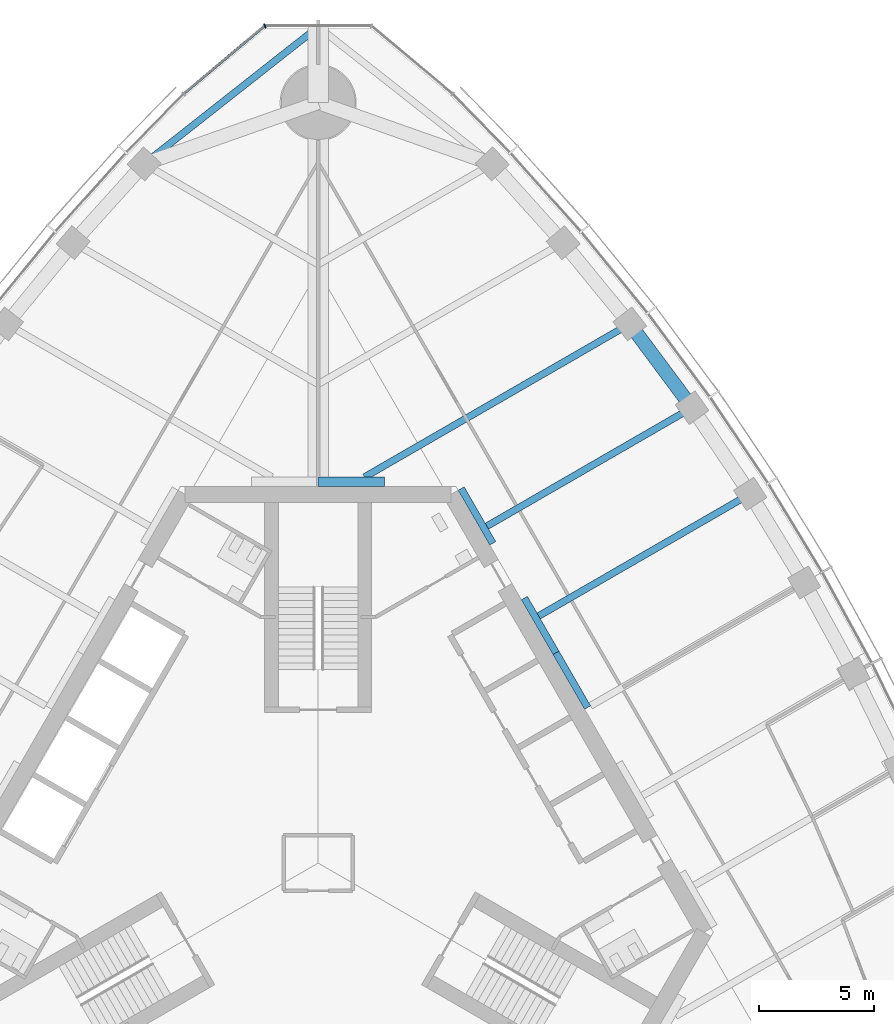
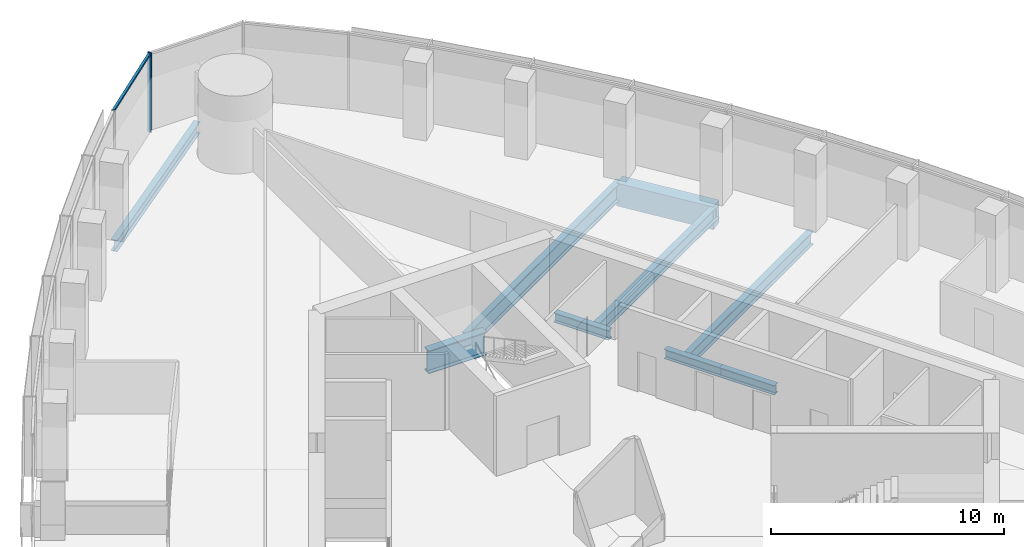
# One storey, part 6 of 19: 9 beams, 2 members, 1 element without a shape of its own.
"""IFC4 building model written with IfcOpenShell, lengths in metres."""

from ifc_helpers import new_model, si_unit, direction, frame, origin, origin_2d, place, context, subcontext, project, spatial, rectangle, i_section, extrude, material, material_profile, profile_set, type_object, element, aggregate, save


model = new_model("IFC4")

# Units and contexts
model_context = context("Model", 3, precision=1e-05, world=origin(), true_north=direction((0.0, 1.0)))
body_context = subcontext(model_context, "Body", "Model", "MODEL_VIEW")
ifc_project = project(units=[si_unit("LENGTHUNIT", "METRE"), si_unit("AREAUNIT", "SQUARE_METRE"), si_unit("VOLUMEUNIT", "CUBIC_METRE"), si_unit("PLANEANGLEUNIT", "RADIAN"), si_unit("MASSUNIT", "GRAM", prefix="KILO")], contexts=[model_context])

# Site, building, storey
site_placement = place(None, origin())
site = spatial("IfcSite", under=ifc_project, at=site_placement, CompositionType="ELEMENT")
building_placement = place(site_placement, origin())
building = spatial("IfcBuilding", under=site, at=building_placement, Name="Trefoil Bronze Tower", CompositionType="ELEMENT")
storey_placement = place(building_placement, frame((0.0, 0.0, 240.10009765625)))
storey = spatial("IfcBuildingStorey", under=building, at=storey_placement, Name="L55", CompositionType="ELEMENT", Elevation=240.10009765625)

# Curtain wall, members
ifc_material_1 = material(Name="Tinted solar-control glass", Category="glass")
curtain_wall_type = type_object("IfcCurtainWallType", Name="Bronze rounded corner curtain wall", PredefinedType="USERDEFINED", material=ifc_material_1)
curtain_wall_placement = place(storey_placement, origin())
curtain_wall = element("IfcCurtainWall", 1, at=curtain_wall_placement, inside=storey, type_object=curtain_wall_type, Name="CW-B L55 K2", ObjectType="CURTAIN WALL", PredefinedType="USERDEFINED")
ifc_material_2 = material(Name="Bronze-finish aluminium", Category="aluminium")
ifc_material_profile_1 = material_profile(ifc_material_2, rectangle(XDim=0.199951171875, YDim=0.06005859375, at=origin_2d()), Name="CW-B mullion")
ifc_profile_set_1 = profile_set([ifc_material_profile_1], Name="Bronze-finish aluminium")
member_type_1 = type_object("IfcMemberType", Name="Bronze rounded corner curtain wall mullion", PredefinedType="MULLION", material=ifc_profile_set_1)
member_1_placement = place(storey_placement, frame((-2.314453125, 36.326416015625, 0.0), z_axis=(0.0, 0.0, 1.0), x_axis=(0.342020143326, -0.939692620786, 0.0)))
member_1 = element("IfcMember", 2, at=member_1_placement, type_object=member_type_1, Name="CW-B L55 K2 mullion 3", PredefinedType="MULLION", context=body_context, shape_type="SweptSolid", body=[
    extrude(rectangle(XDim=0.199951171875, YDim=0.06005859375, at=origin_2d()), origin(), (0.0, 0.0, 1.0), 4.179931640625),
])
ifc_material_3 = material(Name="Bronze-finish aluminium", Category="aluminium")
ifc_material_profile_2 = material_profile(ifc_material_3, rectangle(XDim=0.1201171875, YDim=0.10009765625, at=origin_2d()), Name="CW-B transom")
ifc_profile_set_2 = profile_set([ifc_material_profile_2], Name="Bronze-finish aluminium")
member_type_2 = type_object("IfcMemberType", Name="Bronze rounded corner curtain wall transom", PredefinedType="USERDEFINED", material=ifc_profile_set_2)
member_2_placement = place(storey_placement, frame((-2.367431640625, 36.289794921875, 4.1298828125), z_axis=(-0.766046761698, -0.642784846501, 0.0), x_axis=(0.642784846501, -0.766046761698, 0.0)))
member_2 = element("IfcMember", 3, at=member_2_placement, type_object=member_type_2, Name="CW-B L55 K2 transom 3", ObjectType="TRANSOM", PredefinedType="USERDEFINED", context=body_context, shape_type="SweptSolid", body=[
    extrude(rectangle(XDim=0.1201171875, YDim=0.10009765625, at=origin_2d()), origin(), (0.0, 0.0, 1.0), 4.5),
])
aggregate(curtain_wall, [member_1, member_2])

# Beams
ifc_material_4 = material(Name="Steel C355", Category="steel")
ifc_material_profile_3 = material_profile(ifc_material_4, i_section(OverallWidth=0.300048828125, OverallDepth=0.5, WebThickness=0.014404296875, FlangeThickness=0.028076171875, FilletRadius=0.027099609375, at=origin_2d()), Name="HEB 500")
ifc_profile_set_3 = profile_set([ifc_material_profile_3], Name="Steel C355")
beam_type_1 = type_object("IfcBeamType", Name="Core seat beam HEB 500", PredefinedType="BEAM", material=ifc_profile_set_3)
for number, where, z_axis, x_axis, name in (
    (4, (11.69140625, 6.75, -0.4501953125), (-0.500035825175, 0.866004719122, 0.0), (-0.866004719122, -0.500035825175, 0.0), "Core seat beam F2/+0 L55"),
    (5, (10.320068359375, 9.125, -0.4501953125), (-0.499969057507, 0.866043267704, 0.0), (-0.866043267704, -0.499969057507, 0.0), "Core seat beam F2/+1 L55"),
    (6, (7.57763671875, 13.875, -0.4501953125), (-0.499969057507, 0.866043267704, 0.0), (-0.866043267704, -0.499969057507, 0.0), "Core seat beam F2/+2 L55"),
):
    element("IfcBeam", number, at=place(storey_placement, frame(where, z_axis=z_axis, x_axis=x_axis)), inside=storey, type_object=beam_type_1, Name=name, PredefinedType="BEAM", context=body_context, shape_type="SweptSolid", body=[
        extrude(i_section(OverallWidth=0.300048828125, OverallDepth=0.5, WebThickness=0.014404296875, FlangeThickness=0.028076171875, FilletRadius=0.027099609375, at=origin_2d()), origin(), (0.0, 0.0, 1.0), 2.742431640625),
    ])
ifc_material_5 = material(Name="Steel C355", Category="steel")
ifc_material_profile_4 = material_profile(ifc_material_5, i_section(OverallWidth=0.39990234375, OverallDepth=1.199951171875, WebThickness=0.02001953125, FlangeThickness=0.0400390625, FilletRadius=0.010009765625, at=origin_2d()), Name="WPG 1200")
ifc_profile_set_4 = profile_set([ifc_material_profile_4], Name="Steel C355")
beam_type_2 = type_object("IfcBeamType", Name="Core seat beam WPG 1200", PredefinedType="BEAM", material=ifc_profile_set_4)
beam_1_placement = place(storey_placement, frame((2.88671875, 16.550048828125, -0.800048828125), z_axis=(-1.0, 0.0, 0.0), x_axis=(0.0, -1.0, 0.0)))
element("IfcBeam", 7, at=beam_1_placement, inside=storey, type_object=beam_type_2, Name="Core seat beam F2/+3 L55", PredefinedType="BEAM", context=body_context, shape_type="SweptSolid", body=[
    extrude(i_section(OverallWidth=0.39990234375, OverallDepth=1.199951171875, WebThickness=0.02001953125, FlangeThickness=0.0400390625, FilletRadius=0.010009765625, at=origin_2d()), origin(), (0.0, 0.0, 1.0), 2.88671875),
])
ifc_material_6 = material(Name="Steel C355", Category="steel")
ifc_material_profile_5 = material_profile(ifc_material_6, i_section(OverallWidth=0.300048828125, OverallDepth=0.60009765625, WebThickness=0.015380859375, FlangeThickness=0.030029296875, FilletRadius=0.027099609375, at=origin_2d()), Name="HEB 600")
ifc_profile_set_5 = profile_set([ifc_material_profile_5], Name="Steel C355")
beam_type_3 = type_object("IfcBeamType", Name="Corner edge beam HEB 600", PredefinedType="BEAM", material=ifc_profile_set_5)
beam_2_placement = place(storey_placement, frame((-7.552001953125, 30.3408203125, -0.5), z_axis=(0.785805912008, 0.618473175371, 0.0), x_axis=(-0.618473175371, 0.785805912008, 0.0)))
element("IfcBeam", 8, at=beam_2_placement, inside=storey, type_object=beam_type_3, Name="Corner edge beam F3B L55", PredefinedType="BEAM", context=body_context, shape_type="SweptSolid", body=[
    extrude(i_section(OverallWidth=0.300048828125, OverallDepth=0.60009765625, WebThickness=0.015380859375, FlangeThickness=0.030029296875, FilletRadius=0.027099609375, at=origin_2d()), origin(), (0.0, 0.0, 1.0), 9.610595703125),
])
ifc_material_7 = material(Name="Steel C355", Category="steel")
ifc_material_profile_6 = material_profile(ifc_material_7, i_section(OverallWidth=0.300048828125, OverallDepth=0.699951171875, WebThickness=0.01708984375, FlangeThickness=0.031982421875, FilletRadius=0.027099609375, at=origin_2d()), Name="HEB 700")
ifc_profile_set_6 = profile_set([ifc_material_profile_6], Name="Steel C355")
beam_type_4 = type_object("IfcBeamType", Name="Floor beam HEB 700", PredefinedType="BEAM", material=ifc_profile_set_6)
beam_3_placement = place(storey_placement, frame((18.748046875, 16.020263671875, -0.550048828125), z_axis=(-0.86602981261, -0.499992363612, 0.0), x_axis=(0.499992363612, -0.86602981261, 0.0)))
element("IfcBeam", 9, at=beam_3_placement, inside=storey, type_object=beam_type_4, Name="Floor beam F2/+1 L55", PredefinedType="BEAM", context=body_context, shape_type="SweptSolid", body=[
    extrude(i_section(OverallWidth=0.300048828125, OverallDepth=0.699951171875, WebThickness=0.01708984375, FlangeThickness=0.031982421875, FilletRadius=0.027099609375, at=origin_2d()), origin(), (0.0, 0.0, 1.0), 10.596435546875),
])
beam_4_placement = place(storey_placement, frame((16.2265625, 19.7607421875, -0.550048828125), z_axis=(-0.866019527493, -0.500010177898, 0.0), x_axis=(0.500010177898, -0.866019527493, 0.0)))
element("IfcBeam", 10, at=beam_4_placement, inside=storey, type_object=beam_type_4, Name="Floor beam F2/+2 L55", PredefinedType="BEAM", context=body_context, shape_type="SweptSolid", body=[
    extrude(i_section(OverallWidth=0.300048828125, OverallDepth=0.699951171875, WebThickness=0.01708984375, FlangeThickness=0.031982421875, FilletRadius=0.027099609375, at=origin_2d()), origin(), (0.0, 0.0, 1.0), 10.282958984375),
])
ifc_material_8 = material(Name="Steel C355", Category="steel")
ifc_material_profile_7 = material_profile(ifc_material_8, i_section(OverallWidth=0.300048828125, OverallDepth=0.89990234375, WebThickness=0.0185546875, FlangeThickness=0.034912109375, FilletRadius=0.030029296875, at=origin_2d()), Name="HEB 900")
ifc_profile_set_7 = profile_set([ifc_material_profile_7], Name="Steel C355")
beam_type_5 = type_object("IfcBeamType", Name="Floor beam HEB 900", PredefinedType="BEAM", material=ifc_profile_set_7)
beam_5_placement = place(storey_placement, frame((13.522216796875, 23.3955078125, -0.650146484375), z_axis=(-0.866023461342, -0.500003364394, 0.0), x_axis=(0.500003364394, -0.866023461342, 0.0)))
element("IfcBeam", 11, at=beam_5_placement, inside=storey, type_object=beam_type_5, Name="Floor beam F2/+3 L55", PredefinedType="BEAM", context=body_context, shape_type="SweptSolid", body=[
    extrude(i_section(OverallWidth=0.300048828125, OverallDepth=0.89990234375, WebThickness=0.0185546875, FlangeThickness=0.034912109375, FilletRadius=0.030029296875, at=origin_2d()), origin(), (0.0, 0.0, 1.0), 13.291015625),
])
ifc_material_9 = material(Name="Concrete B80", Category="concrete")
ifc_material_profile_8 = material_profile(ifc_material_9, rectangle(XDim=0.60009765625, YDim=1.199951171875, at=origin_2d()), Name="RC 600x1200")
ifc_profile_set_8 = profile_set([ifc_material_profile_8], Name="Concrete B80")
beam_type_6 = type_object("IfcBeamType", Name="Spandrel beam RC 600x1200", PredefinedType="SPANDREL", material=ifc_profile_set_8)
beam_6_placement = place(storey_placement, frame((16.2265625, 19.7607421875, -0.800048828125), z_axis=(-0.596926078257, 0.802296240236, 0.0), x_axis=(-0.802296240236, -0.596926078257, 0.0)))
element("IfcBeam", 12, at=beam_6_placement, inside=storey, type_object=beam_type_6, Name="Spandrel F2.9 L55", PredefinedType="SPANDREL", context=body_context, shape_type="SweptSolid", body=[
    extrude(rectangle(XDim=0.60009765625, YDim=1.199951171875, at=origin_2d()), origin(), (0.0, 0.0, 1.0), 4.530517578125),
])

save(model, "model.ifc")
